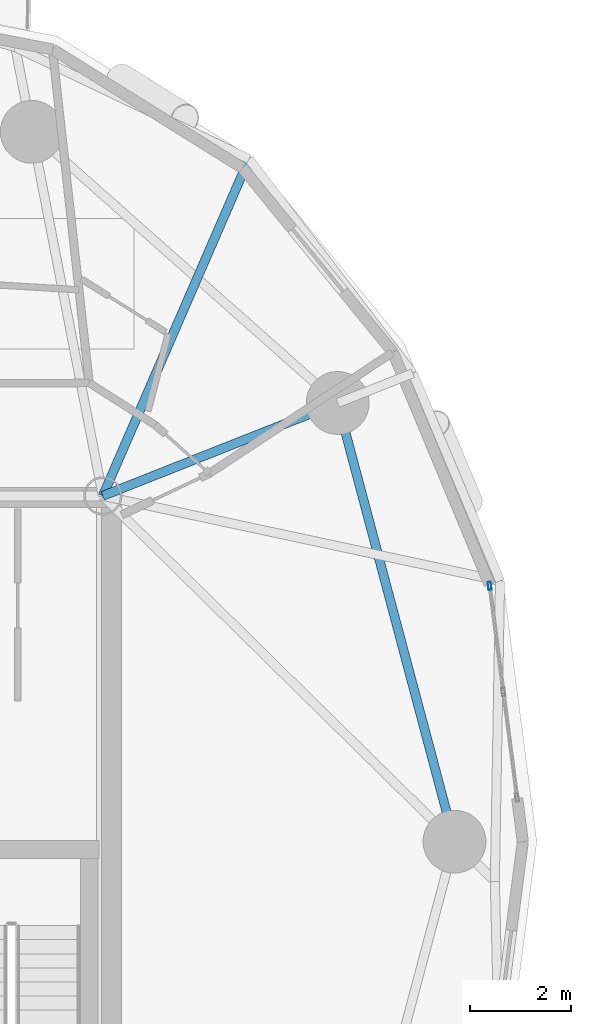
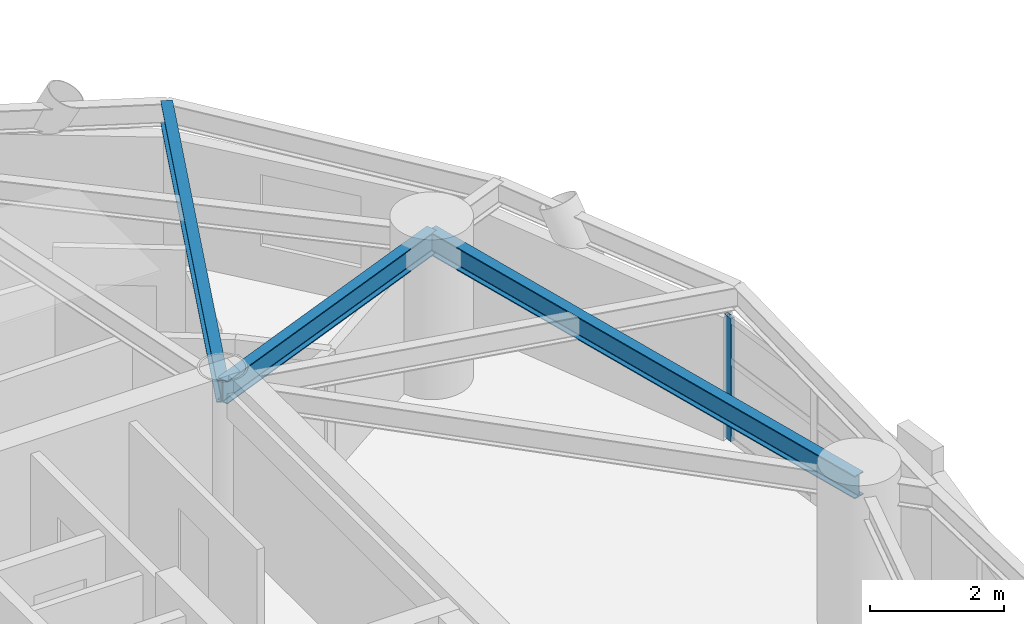
# One storey, part 3 of 16: 3 beams, 1 member, 1 element without a shape of its own.
"""IFC4 building model written with IfcOpenShell, lengths in metres."""

from ifc_helpers import new_model, si_unit, direction, frame, origin, origin_2d, place, context, subcontext, project, spatial, hollow_rectangle, i_section, extrude, material, layer, layer_set, material_profile, profile_set, type_object, element, aggregate, save


model = new_model("IFC4")

# Units and contexts
model_context = context("Model", 3, precision=1e-05, world=origin(), true_north=direction((0.0, 1.0)))
body_context = subcontext(model_context, "Body", "Model", "MODEL_VIEW")
ifc_project = project(units=[si_unit("LENGTHUNIT", "METRE"), si_unit("AREAUNIT", "SQUARE_METRE"), si_unit("VOLUMEUNIT", "CUBIC_METRE"), si_unit("PLANEANGLEUNIT", "RADIAN"), si_unit("MASSUNIT", "GRAM", prefix="KILO")], contexts=[model_context])

# Site, building, storey
site_placement = place(None, origin())
site = spatial("IfcSite", under=ifc_project, at=site_placement, CompositionType="ELEMENT")
building_placement = place(site_placement, origin())
building = spatial("IfcBuilding", under=site, at=building_placement, Name="Cununo Teusaquillo Station Towers", CompositionType="ELEMENT")
storey_placement = place(building_placement, frame((0.0, 0.0, 171.969970703125)))
storey = spatial("IfcBuildingStorey", under=building, at=storey_placement, Name="L54", CompositionType="ELEMENT", Elevation=171.969970703125)

# Beams
ifc_material_1 = material(Name="Steel ASTM A572 Grade 50", Category="steel")
ifc_material_profile_1 = material_profile(ifc_material_1, i_section(OverallWidth=0.180908203125, OverallDepth=0.4169921875, WebThickness=0.010986328125, FlangeThickness=0.018310546875, FilletRadius=0.012939453125, at=origin_2d()), Name="W16X57")
ifc_profile_set_1 = profile_set([ifc_material_profile_1], Name="Steel ASTM A572 Grade 50")
beam_type_1 = type_object("IfcBeamType", Name="BM-JOIST-1", PredefinedType="JOIST", material=ifc_profile_set_1)
beam_1_placement = place(storey_placement, frame((21.675048828125, 31.3798828125, 2.4814453125), z_axis=(0.397903718051, 0.917427180304, 0.0), x_axis=(-0.917427180304, 0.397903718051, 0.0)))
element("IfcBeam", 1, at=beam_1_placement, inside=storey, type_object=beam_type_1, Name="L54 Tower A Radial Spandrel Joist V03", PredefinedType="JOIST", context=body_context, shape_type="SweptSolid", body=[
    extrude(i_section(OverallWidth=0.180908203125, OverallDepth=0.4169921875, WebThickness=0.010986328125, FlangeThickness=0.018310546875, FilletRadius=0.012939453125, at=origin_2d()), origin(), (0.0, 0.0, 1.0), 7.306884765625),
])
ifc_material_2 = material(Name="Steel ASTM A572 Grade 50", Category="steel")
ifc_material_profile_2 = material_profile(ifc_material_2, i_section(OverallWidth=0.180908203125, OverallDepth=0.4169921875, WebThickness=0.010986328125, FlangeThickness=0.018310546875, FilletRadius=0.012939453125, at=origin_2d()), Name="W16X57")
ifc_profile_set_2 = profile_set([ifc_material_profile_2], Name="Steel ASTM A572 Grade 50")
beam_type_2 = type_object("IfcBeamType", Name="BM-RAD-G2", PredefinedType="BEAM", material=ifc_profile_set_2)
beam_2_placement = place(storey_placement, frame((21.675048828125, 31.3798828125, 2.4814453125), z_axis=(0.929864104313, 0.367903176814, 0.0), x_axis=(-0.367903176814, 0.929864104313, 0.0)))
element("IfcBeam", 2, at=beam_2_placement, inside=storey, type_object=beam_type_2, Name="L54 Tower A Radial Girder 02A", PredefinedType="BEAM", context=body_context, shape_type="SweptSolid", body=[
    extrude(i_section(OverallWidth=0.180908203125, OverallDepth=0.4169921875, WebThickness=0.010986328125, FlangeThickness=0.018310546875, FilletRadius=0.012939453125, at=origin_2d()), origin(), (0.0, 0.0, 1.0), 5.02490234375),
])
ifc_material_3 = material(Name="Steel ASTM A572 Grade 50", Category="steel")
ifc_material_profile_3 = material_profile(ifc_material_3, i_section(OverallWidth=0.180908203125, OverallDepth=0.4169921875, WebThickness=0.010986328125, FlangeThickness=0.018310546875, FilletRadius=0.012939453125, at=origin_2d()), Name="W16X57")
ifc_profile_set_3 = profile_set([ifc_material_profile_3], Name="Steel ASTM A572 Grade 50")
beam_type_3 = type_object("IfcBeamType", Name="BM-RING-Z3", PredefinedType="SPANDREL", material=ifc_profile_set_3)
beam_3_placement = place(storey_placement, frame((28.672119140625, 24.5, 2.4814453125), z_axis=(-0.257363196347, 0.966314744359, 0.0), x_axis=(-0.966314744359, -0.257363196347, 0.0)))
element("IfcBeam", 3, at=beam_3_placement, inside=storey, type_object=beam_type_3, Name="L54 Tower A Structural Column Ring Girder 01", PredefinedType="SPANDREL", context=body_context, shape_type="SweptSolid", body=[
    extrude(i_section(OverallWidth=0.180908203125, OverallDepth=0.4169921875, WebThickness=0.010986328125, FlangeThickness=0.018310546875, FilletRadius=0.012939453125, at=origin_2d()), origin(), (0.0, 0.0, 1.0), 9.03271484375),
])

# Curtain wall, member
ifc_material_4 = material(Name="Operable acoustic tinted low-E double glazing", Category="glass")
ifc_layer = layer(ifc_material_4, 0.179931640625)
ifc_layer_set = layer_set([ifc_layer], Name="Operable acoustic tinted low-E double glazing")
curtain_wall_type = type_object("IfcCurtainWallType", Name="CW-SYS-06", PredefinedType="USERDEFINED", material=ifc_layer_set)
curtain_wall_placement = place(storey_placement, origin())
curtain_wall = element("IfcCurtainWall", 4, at=curtain_wall_placement, inside=storey, type_object=curtain_wall_type, Name="L54 Tower A Facade Curtain Wall C00", ObjectType="OPERABLE GLAZING", PredefinedType="USERDEFINED")
ifc_material_5 = material(Name="Anodised dark bronze aluminium EN AW-6063-T6", Category="aluminium")
ifc_material_profile_4 = material_profile(ifc_material_5, hollow_rectangle(XDim=0.06494140625, YDim=0.159912109375, WallThickness=0.00390625, at=origin_2d()), Name="CW-MULL-65x160")
ifc_profile_set_4 = profile_set([ifc_material_profile_4], Name="Anodised dark bronze aluminium EN AW-6063-T6")
member_type = type_object("IfcMemberType", Name="CWM-160", PredefinedType="MULLION", material=ifc_profile_set_4)
member_placement = place(storey_placement, frame((29.372802734375, 29.588134765625, 0.0), z_axis=(0.0, 0.0, 1.0), x_axis=(0.991737283761, 0.128285462927, 0.0)))
member = element("IfcMember", 5, at=member_placement, type_object=member_type, Name="CW-06 mullion 1", PredefinedType="MULLION", context=body_context, shape_type="SweptSolid", body=[
    extrude(hollow_rectangle(XDim=0.06494140625, YDim=0.159912109375, WallThickness=0.00390625, at=origin_2d()), origin(), (0.0, 0.0, 1.0), 2.2451171875),
])
aggregate(curtain_wall, [member])

save(model, "model.ifc")
